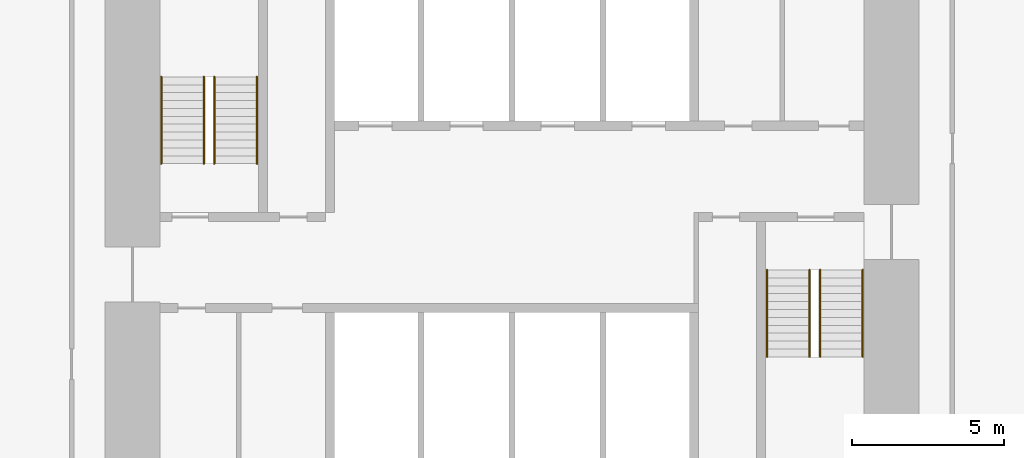
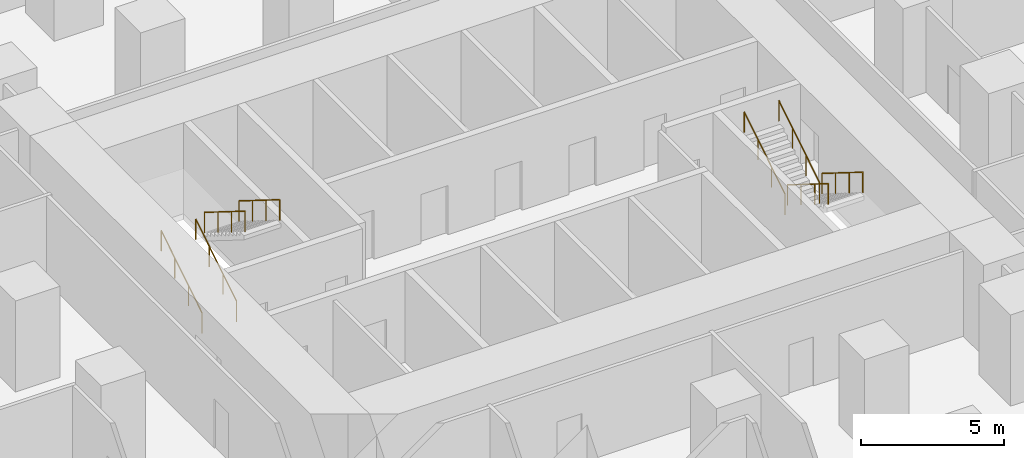
# One storey, part 13 of 13: 8 railings.
"""IFC4 building model written with IfcOpenShell, lengths in metres."""

from ifc_helpers import new_model, si_unit, direction, frame, origin, origin_2d, place, context, subcontext, project, spatial, circle, extrude, material, type_object, element, save


model = new_model("IFC4")

# Units and contexts
model_context = context("Model", 3, precision=1e-05, world=origin(), true_north=direction((0.0, 1.0)))
body_context = subcontext(model_context, "Body", "Model", "MODEL_VIEW")
ifc_project = project(units=[si_unit("LENGTHUNIT", "METRE"), si_unit("AREAUNIT", "SQUARE_METRE"), si_unit("VOLUMEUNIT", "CUBIC_METRE"), si_unit("PLANEANGLEUNIT", "RADIAN"), si_unit("MASSUNIT", "GRAM", prefix="KILO")], contexts=[model_context])

# Site, building, storey
site_placement = place(None, origin())
site = spatial("IfcSite", under=ifc_project, at=site_placement, CompositionType="ELEMENT")
building_placement = place(site_placement, origin())
building = spatial("IfcBuilding", under=site, at=building_placement, Name="Highveld Stack Headquarters", CompositionType="ELEMENT")
storey_placement = place(building_placement, frame((0.0, 0.0, 84.5)))
storey = spatial("IfcBuildingStorey", under=building, at=storey_placement, Name="L20", CompositionType="ELEMENT", Elevation=84.5)

# Railings
ifc_material = material(Name="Stainless steel handrail", Category="steel")
railing_type = type_object("IfcRailingType", Name="STAIR HANDRAIL HR1 900", PredefinedType="HANDRAIL", material=ifc_material)
for number, where, name in (
    (1, (-5.550048828125, 4.75, 0.16259765625), "Handrail S1 L20 flight 1"),
    (2, (-4.14990234375, 4.75, 0.16259765625), "Handrail S1 L20 flight 1"),
):
    element("IfcRailing", number, at=place(storey_placement, frame(where)), inside=storey, type_object=railing_type, Name=name, PredefinedType="HANDRAIL", context=body_context, shape_type="SweptSolid", body=[
        extrude(circle(Radius=0.02392578125, at=origin_2d()), frame((0.0, 0.0, 0.8759765625), z_axis=(0.0, 0.848026770018, 0.529953391661), x_axis=(-1.0, 0.0, 0.0)), (0.0, 0.0, 1.0), 3.37255859375),
        extrude(circle(Radius=0.02099609375, at=origin_2d()), origin(), (0.0, 0.0, 1.0), 0.851806640625),
        extrude(circle(Radius=0.02099609375, at=origin_2d()), frame((0.0, 0.953369140625, 0.595703125)), (0.0, 0.0, 1.0), 0.851806640625),
        extrude(circle(Radius=0.02099609375, at=origin_2d()), frame((0.0, 1.90673828125, 1.191650390625)), (0.0, 0.0, 1.0), 0.851806640625),
        extrude(circle(Radius=0.02099609375, at=origin_2d()), frame((0.0, 2.860107421875, 1.787353515625)), (0.0, 0.0, 1.0), 0.851806640625),
    ])
for number, where, name in (
    (3, (-3.800048828125, 7.610107421875, 2.112548828125), "Handrail S1 L20 flight 2"),
    (4, (-2.39990234375, 7.610107421875, 2.112548828125), "Handrail S1 L20 flight 2"),
    (5, (16.14990234375, 1.25, 0.16259765625), "Handrail S2 L20 flight 1"),
    (6, (17.550048828125, 1.25, 0.16259765625), "Handrail S2 L20 flight 1"),
):
    element("IfcRailing", number, at=place(storey_placement, frame(where)), inside=storey, type_object=railing_type, Name=name, PredefinedType="HANDRAIL", context=body_context, shape_type="SweptSolid", body=[
        extrude(circle(Radius=0.02392578125, at=origin_2d()), frame((0.0, 0.0, 0.8759765625), z_axis=(0.0, -0.848026770018, 0.529953391661), x_axis=(1.0, 0.0, 0.0)), (0.0, 0.0, 1.0), 3.37255859375),
        extrude(circle(Radius=0.02099609375, at=origin_2d()), origin(), (0.0, 0.0, 1.0), 0.851806640625),
        extrude(circle(Radius=0.02099609375, at=origin_2d()), frame((0.0, -0.953369140625, 0.595703125)), (0.0, 0.0, 1.0), 0.851806640625),
        extrude(circle(Radius=0.02099609375, at=origin_2d()), frame((0.0, -1.90673828125, 1.191650390625)), (0.0, 0.0, 1.0), 0.851806640625),
        extrude(circle(Radius=0.02099609375, at=origin_2d()), frame((0.0, -2.860107421875, 1.787353515625)), (0.0, 0.0, 1.0), 0.851806640625),
    ])
for number, where, name in (
    (7, (14.39990234375, -1.610107421875, 2.112548828125), "Handrail S2 L20 flight 2"),
    (8, (15.800048828125, -1.610107421875, 2.112548828125), "Handrail S2 L20 flight 2"),
):
    element("IfcRailing", number, at=place(storey_placement, frame(where)), inside=storey, type_object=railing_type, Name=name, PredefinedType="HANDRAIL", context=body_context, shape_type="SweptSolid", body=[
        extrude(circle(Radius=0.02392578125, at=origin_2d()), frame((0.0, 0.0, 0.8759765625), z_axis=(0.0, 0.848026770018, 0.529953391661), x_axis=(-1.0, 0.0, 0.0)), (0.0, 0.0, 1.0), 3.37255859375),
        extrude(circle(Radius=0.02099609375, at=origin_2d()), origin(), (0.0, 0.0, 1.0), 0.851806640625),
        extrude(circle(Radius=0.02099609375, at=origin_2d()), frame((0.0, 0.953369140625, 0.595703125)), (0.0, 0.0, 1.0), 0.851806640625),
        extrude(circle(Radius=0.02099609375, at=origin_2d()), frame((0.0, 1.90673828125, 1.191650390625)), (0.0, 0.0, 1.0), 0.851806640625),
        extrude(circle(Radius=0.02099609375, at=origin_2d()), frame((0.0, 2.860107421875, 1.787353515625)), (0.0, 0.0, 1.0), 0.851806640625),
    ])

save(model, "model.ifc")
